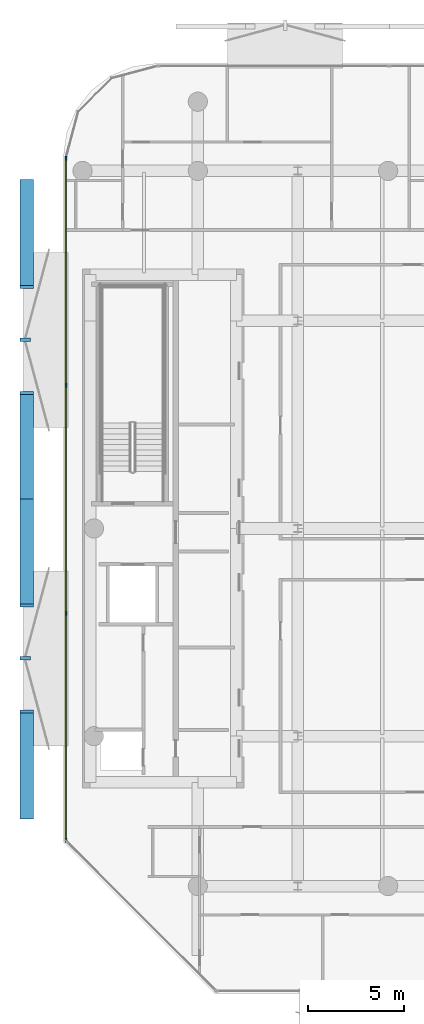
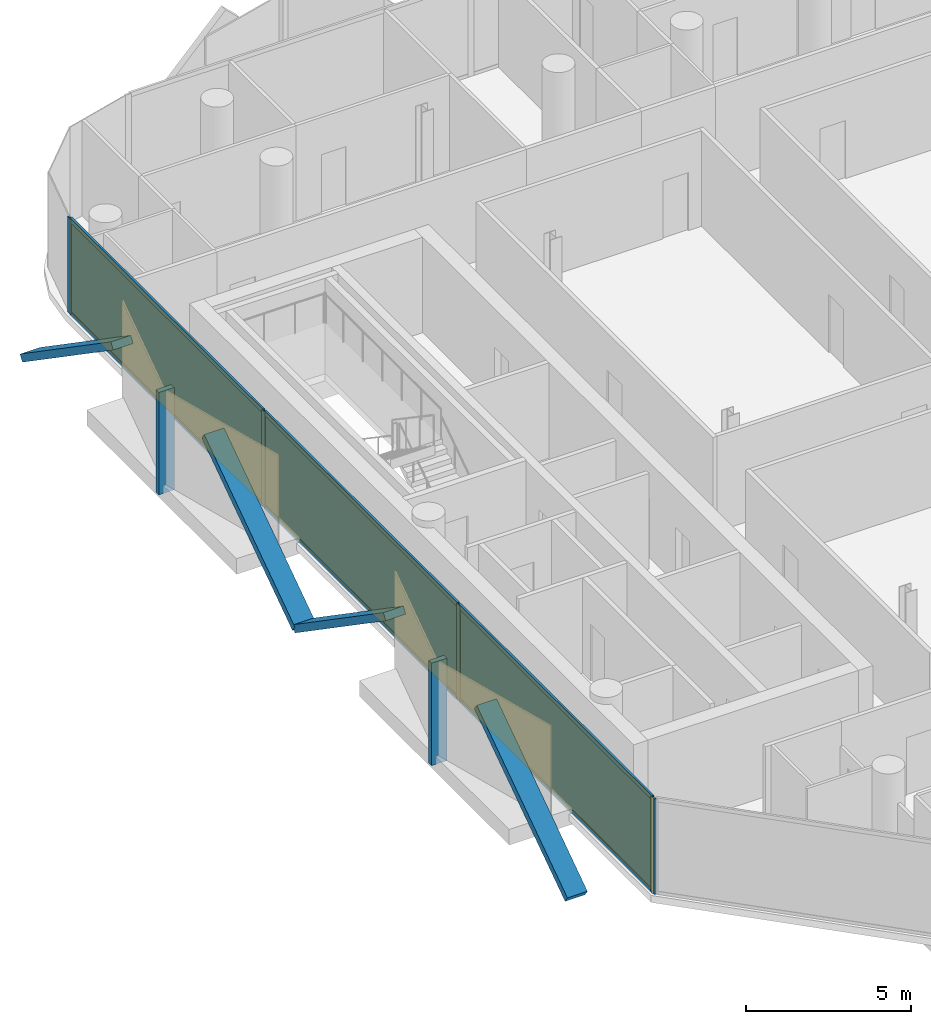
# One storey, part 10 of 16: 16 members, 3 plates, 1 curtain wall.
"""IFC4 building model written with IfcOpenShell, lengths in metres."""

from ifc_helpers import new_model, si_unit, direction, frame, frame_2d, origin, origin_2d, place, context, subcontext, project, spatial, rectangle, extrude, material, layer, layer_set, material_profile, profile_set, type_object, element, aggregate, save


model = new_model("IFC4")

# Units and contexts
model_context = context("Model", 3, precision=1e-05, world=origin(), true_north=direction((0.0, 1.0)))
body_context = subcontext(model_context, "Body", "Model", "MODEL_VIEW")
ifc_project = project(units=[si_unit("LENGTHUNIT", "METRE"), si_unit("AREAUNIT", "SQUARE_METRE"), si_unit("VOLUMEUNIT", "CUBIC_METRE"), si_unit("PLANEANGLEUNIT", "RADIAN"), si_unit("MASSUNIT", "GRAM", prefix="KILO")], contexts=[model_context])

# Member
ifc_material_1 = material(Name="Anodised Bronze Aluminium 6063-T6", Category="aluminium")
ifc_material_profile_1 = material_profile(ifc_material_1, rectangle(XDim=0.260009765625, YDim=0.699951171875, at=origin_2d()))
ifc_profile_set_1 = profile_set([ifc_material_profile_1], Name="Anodised Bronze Aluminium 6063-T6")
member_type_1 = type_object("IfcMemberType", Name="Bronze Diamond Solar-Screen Lattice Rib BDL-700", PredefinedType="MULLION", material=ifc_profile_set_1)
site_placement = place(None, origin())
building_placement = place(site_placement, origin())
storey_placement = place(building_placement, frame((0.0, 0.0, 300.39990234375)))
member_1_placement = place(storey_placement, frame((-23.300048828125, -15.0419921875, -0.1298828125), z_axis=(0.0, 0.823784665802, 0.566902835052), x_axis=(0.0, -0.566902835052, 0.823784665802)))
member_1 = element("IfcMember", 1, at=member_1_placement, type_object=member_type_1, Name="L72 Bronze Diamond Solar Screen Lattice Rib 504A", PredefinedType="MULLION", context=body_context, shape_type="SweptSolid", body=[
    extrude(rectangle(XDim=0.260009765625, YDim=0.699951171875, at=origin_2d()), origin(), (0.0, 0.0, 1.0), 6.703125),
])

member_2_placement = place(storey_placement, frame((-23.300048828125, 1.5244140625, -0.1298828125), z_axis=(0.0, -0.823796370419, 0.566885826322), x_axis=(0.0, 0.566885826322, 0.823796370419)))
member_2 = element("IfcMember", 2, at=member_2_placement, type_object=member_type_1, Name="L72 Bronze Diamond Solar Screen Lattice Rib 504B", PredefinedType="MULLION", context=body_context, shape_type="SweptSolid", body=[
    extrude(rectangle(XDim=0.260009765625, YDim=0.699951171875, at=origin_2d()), origin(), (0.0, 0.0, 1.0), 6.703369140625),
])

member_3_placement = place(storey_placement, frame((-23.300048828125, 1.5244140625, -0.1298828125), z_axis=(0.0, 0.823784665802, 0.566902835052), x_axis=(0.0, -0.566902835052, 0.823784665802)))
member_3 = element("IfcMember", 3, at=member_3_placement, type_object=member_type_1, Name="L72 Bronze Diamond Solar Screen Lattice Rib 505A", PredefinedType="MULLION", context=body_context, shape_type="SweptSolid", body=[
    extrude(rectangle(XDim=0.260009765625, YDim=0.699951171875, at=origin_2d()), origin(), (0.0, 0.0, 1.0), 6.703125),
])

member_4_placement = place(storey_placement, frame((-23.300048828125, 18.0908203125, -0.1298828125), z_axis=(0.0, -0.823796370419, 0.566885826322), x_axis=(0.0, 0.566885826322, 0.823796370419)))
member_4 = element("IfcMember", 4, at=member_4_placement, type_object=member_type_1, Name="L72 Bronze Diamond Solar Screen Lattice Rib 505B", PredefinedType="MULLION", context=body_context, shape_type="SweptSolid", body=[
    extrude(rectangle(XDim=0.260009765625, YDim=0.699951171875, at=origin_2d()), origin(), (0.0, 0.0, 1.0), 6.703369140625),
])

ifc_material_2 = material(Name="Anodised Bronze Aluminium 6063-T6", Category="aluminium")
ifc_material_profile_2 = material_profile(ifc_material_2, rectangle(XDim=0.179931640625, YDim=0.5400390625, at=origin_2d()))
ifc_profile_set_2 = profile_set([ifc_material_profile_2], Name="Anodised Bronze Aluminium 6063-T6")
member_type_2 = type_object("IfcMemberType", Name="Bronze Solar-Screen Vertical Fold Fin BSF-540", PredefinedType="MULLION", material=ifc_profile_set_2)
member_5_placement = place(storey_placement, frame((-23.3798828125, -6.7587890625, -0.1298828125), z_axis=(0.0, 0.0, 1.0), x_axis=(0.0, 1.0, 0.0)))
member_5 = element("IfcMember", 5, at=member_5_placement, type_object=member_type_2, Name="L72 Bronze Solar Screen Vertical Fin 504", PredefinedType="MULLION", context=body_context, shape_type="SweptSolid", body=[
    extrude(rectangle(XDim=0.179931640625, YDim=0.5400390625, at=origin_2d()), origin(), (0.0, 0.0, 1.0), 3.800048828125),
])

member_6_placement = place(storey_placement, frame((-23.3798828125, 9.8076171875, -0.1298828125), z_axis=(0.0, 0.0, 1.0), x_axis=(0.0, 1.0, 0.0)))
member_6 = element("IfcMember", 6, at=member_6_placement, type_object=member_type_2, Name="L72 Bronze Solar Screen Vertical Fin 505", PredefinedType="MULLION", context=body_context, shape_type="SweptSolid", body=[
    extrude(rectangle(XDim=0.179931640625, YDim=0.5400390625, at=origin_2d()), origin(), (0.0, 0.0, 1.0), 3.800048828125),
])

ifc_material_3 = material(Name="Anodised Bronze Aluminium 6063-T6", Category="aluminium")
ifc_material_profile_3 = material_profile(ifc_material_3, rectangle(XDim=0.074951171875, YDim=0.2099609375, at=origin_2d()))
ifc_profile_set_3 = profile_set([ifc_material_profile_3], Name="Anodised Bronze Aluminium 6063-T6")
member_type_3 = type_object("IfcMemberType", Name="CW-CRN Mullion 75x210", PredefinedType="MULLION", material=ifc_profile_set_3)
member_7_placement = place(storey_placement, frame((-21.260009765625, -16.20458984375, 0.0), z_axis=(0.0, 0.0, 1.0), x_axis=(-1.0, 0.0, 0.0)))
member_7 = element("IfcMember", 7, at=member_7_placement, type_object=member_type_3, Name="CW-CRN mullion 1", PredefinedType="MULLION", context=body_context, shape_type="SweptSolid", body=[
    extrude(rectangle(XDim=0.074951171875, YDim=0.2099609375, at=origin_2d()), origin(), (0.0, 0.0, 1.0), 3.5400390625),
])

member_8_placement = place(storey_placement, frame((-21.260009765625, -4.397705078125, 0.0), z_axis=(0.0, 0.0, 1.0), x_axis=(-1.0, 0.0, 0.0)))
member_8 = element("IfcMember", 8, at=member_8_placement, type_object=member_type_3, Name="CW-CRN mullion 2", PredefinedType="MULLION", context=body_context, shape_type="SweptSolid", body=[
    extrude(rectangle(XDim=0.074951171875, YDim=0.2099609375, at=origin_2d()), origin(), (0.0, 0.0, 1.0), 3.5400390625),
])

member_9_placement = place(storey_placement, frame((-21.260009765625, 7.446533203125, 0.0), z_axis=(0.0, 0.0, 1.0), x_axis=(-1.0, 0.0, 0.0)))
member_9 = element("IfcMember", 9, at=member_9_placement, type_object=member_type_3, Name="CW-CRN mullion 3", PredefinedType="MULLION", context=body_context, shape_type="SweptSolid", body=[
    extrude(rectangle(XDim=0.074951171875, YDim=0.2099609375, at=origin_2d()), origin(), (0.0, 0.0, 1.0), 3.5400390625),
])

member_10_placement = place(storey_placement, frame((-21.260009765625, 19.25341796875, 0.0), z_axis=(0.0, 0.0, 1.0), x_axis=(-1.0, 0.0, 0.0)))
member_10 = element("IfcMember", 10, at=member_10_placement, type_object=member_type_3, Name="CW-CRN mullion 4", PredefinedType="MULLION", context=body_context, shape_type="SweptSolid", body=[
    extrude(rectangle(XDim=0.074951171875, YDim=0.2099609375, at=origin_2d()), origin(), (0.0, 0.0, 1.0), 3.5400390625),
])

ifc_material_4 = material(Name="Anodised Bronze Aluminium 6063-T6", Category="aluminium")
ifc_material_profile_4 = material_profile(ifc_material_4, rectangle(XDim=0.074951171875, YDim=0.1650390625, at=origin_2d()))
ifc_profile_set_4 = profile_set([ifc_material_profile_4], Name="Anodised Bronze Aluminium 6063-T6")
member_type_4 = type_object("IfcMemberType", Name="CW-CRN Transom 75x165", PredefinedType="USERDEFINED", material=ifc_profile_set_4)
member_11_placement = place(storey_placement, frame((-21.260009765625, -16.1669921875, 0.03759765625), z_axis=(0.0, 1.0, 0.0), x_axis=(-1.0, 0.0, 0.0)))
member_11 = element("IfcMember", 11, at=member_11_placement, type_object=member_type_4, Name="CW-CRN transom 1.1", ObjectType="TRANSOM", PredefinedType="USERDEFINED", context=body_context, shape_type="SweptSolid", body=[
    extrude(rectangle(XDim=0.074951171875, YDim=0.1650390625, at=origin_2d()), origin(), (0.0, 0.0, 1.0), 11.731689453125),
])

member_12_placement = place(storey_placement, frame((-21.260009765625, -16.1669921875, 3.502685546875), z_axis=(0.0, 1.0, 0.0), x_axis=(-1.0, 0.0, 0.0)))
member_12 = element("IfcMember", 12, at=member_12_placement, type_object=member_type_4, Name="CW-CRN transom 1.2", ObjectType="TRANSOM", PredefinedType="USERDEFINED", context=body_context, shape_type="SweptSolid", body=[
    extrude(rectangle(XDim=0.074951171875, YDim=0.1650390625, at=origin_2d()), origin(), (0.0, 0.0, 1.0), 11.731689453125),
])

member_13_placement = place(storey_placement, frame((-21.260009765625, -4.3603515625, 0.03759765625), z_axis=(0.0, 1.0, 0.0), x_axis=(-1.0, 0.0, 0.0)))
member_13 = element("IfcMember", 13, at=member_13_placement, type_object=member_type_4, Name="CW-CRN transom 2.1", ObjectType="TRANSOM", PredefinedType="USERDEFINED", context=body_context, shape_type="SweptSolid", body=[
    extrude(rectangle(XDim=0.074951171875, YDim=0.1650390625, at=origin_2d()), origin(), (0.0, 0.0, 1.0), 11.769287109375),
])

member_14_placement = place(storey_placement, frame((-21.260009765625, -4.3603515625, 3.502685546875), z_axis=(0.0, 1.0, 0.0), x_axis=(-1.0, 0.0, 0.0)))
member_14 = element("IfcMember", 14, at=member_14_placement, type_object=member_type_4, Name="CW-CRN transom 2.2", ObjectType="TRANSOM", PredefinedType="USERDEFINED", context=body_context, shape_type="SweptSolid", body=[
    extrude(rectangle(XDim=0.074951171875, YDim=0.1650390625, at=origin_2d()), origin(), (0.0, 0.0, 1.0), 11.769287109375),
])

member_15_placement = place(storey_placement, frame((-21.260009765625, 7.484130859375, 0.03759765625), z_axis=(0.0, 1.0, 0.0), x_axis=(-1.0, 0.0, 0.0)))
member_15 = element("IfcMember", 15, at=member_15_placement, type_object=member_type_4, Name="CW-CRN transom 3.1", ObjectType="TRANSOM", PredefinedType="USERDEFINED", context=body_context, shape_type="SweptSolid", body=[
    extrude(rectangle(XDim=0.074951171875, YDim=0.1650390625, at=origin_2d()), origin(), (0.0, 0.0, 1.0), 11.731689453125),
])

member_16_placement = place(storey_placement, frame((-21.260009765625, 7.484130859375, 3.502685546875), z_axis=(0.0, 1.0, 0.0), x_axis=(-1.0, 0.0, 0.0)))
member_16 = element("IfcMember", 16, at=member_16_placement, type_object=member_type_4, Name="CW-CRN transom 3.2", ObjectType="TRANSOM", PredefinedType="USERDEFINED", context=body_context, shape_type="SweptSolid", body=[
    extrude(rectangle(XDim=0.074951171875, YDim=0.1650390625, at=origin_2d()), origin(), (0.0, 0.0, 1.0), 11.731689453125),
])

# Plate
ifc_material_5 = material(Name="Low-E Solar Control Laminated Glass", Category="glass")
ifc_layer_1 = layer(ifc_material_5, 0.035888671875, Name="Low-E Solar Control Laminated Glass")
ifc_layer_set_1 = layer_set([ifc_layer_1], Name="Low-E Solar Control Laminated Glass")
plate_type = type_object("IfcPlateType", Name="CW-CRN Low-E Double Glazed Panel 36mm", PredefinedType="CURTAIN_PANEL", material=ifc_layer_set_1)
plate_1_placement = place(storey_placement, frame((-21.260009765625, -10.301025390625, 0.0751953125), z_axis=(0.0, 0.0, 1.0), x_axis=(0.0, 1.0, 0.0)))
plate_1 = element("IfcPlate", 17, at=plate_1_placement, type_object=plate_type, Name="CW-CRN panel 1.1", PredefinedType="CURTAIN_PANEL", context=body_context, shape_type="SweptSolid", body=[
    extrude(rectangle(XDim=11.731689453125, YDim=0.035888671875, at=origin_2d()), origin(), (0.0, 0.0, 1.0), 3.389892578125),
])

plate_2_placement = place(storey_placement, frame((-21.260009765625, 1.5244140625, 0.0751953125), z_axis=(0.0, 0.0, 1.0), x_axis=(0.0, 1.0, 0.0)))
plate_2 = element("IfcPlate", 18, at=plate_2_placement, type_object=plate_type, Name="CW-CRN panel 2.1", PredefinedType="CURTAIN_PANEL", context=body_context, shape_type="SweptSolid", body=[
    extrude(rectangle(XDim=11.769287109375, YDim=0.035888671875, at=origin_2d()), origin(), (0.0, 0.0, 1.0), 3.389892578125),
])

plate_3_placement = place(storey_placement, frame((-21.260009765625, 13.349853515625, 0.0751953125), z_axis=(0.0, 0.0, 1.0), x_axis=(0.0, 1.0, 0.0)))
plate_3 = element("IfcPlate", 19, at=plate_3_placement, type_object=plate_type, Name="CW-CRN panel 3.1", PredefinedType="CURTAIN_PANEL", context=body_context, shape_type="SweptSolid", body=[
    extrude(rectangle(XDim=11.731689453125, YDim=0.035888671875, at=origin_2d()), origin(), (0.0, 0.0, 1.0), 3.389892578125),
])

# Site, building, storey
site = spatial("IfcSite", under=ifc_project, at=site_placement, CompositionType="ELEMENT")
building = spatial("IfcBuilding", under=site, at=building_placement, Name="Khairoan Windgate Tower", CompositionType="ELEMENT")
storey = spatial("IfcBuildingStorey", under=building, at=storey_placement, Name="L72", CompositionType="ELEMENT", Elevation=300.39990234375)

# Curtain wall
ifc_material_6 = material(Name="Anodised Bronze Aluminium 6063-T6", Category="aluminium")
ifc_layer_2 = layer(ifc_material_6, 0.2099609375, Name="Anodised Bronze Aluminium 6063-T6")
ifc_layer_set_2 = layer_set([ifc_layer_2], Name="Anodised Bronze Aluminium 6063-T6")
curtain_wall_type = type_object("IfcCurtainWallType", Name="Crown Observation and Vitrine Curtain Wall CW-CRN", PredefinedType="NOTDEFINED", material=ifc_layer_set_2)
curtain_wall_placement = place(storey_placement, frame((-21.260009765625, -16.241943359375, 0.0), z_axis=(0.0, 0.0, 1.0), x_axis=(0.0, 1.0, 0.0)))
curtain_wall = element("IfcCurtainWall", 20, at=curtain_wall_placement, inside=storey, type_object=curtain_wall_type, Name="L72 Unitised Curtain Wall 3", PredefinedType="NOTDEFINED", context=body_context, shape_type="SweptSolid", body=[
    extrude(rectangle(XDim=35.53271484375, YDim=0.010009765625, at=frame_2d((17.766357421875, 0.0))), origin(), (0.0, 0.0, 1.0), 3.5400390625),
])

aggregate(curtain_wall, [member_7, member_8, member_9, member_10, member_11, member_12, plate_1, member_13, member_14, plate_2, member_15, member_16, plate_3, member_1, member_2, member_5, member_3, member_4, member_6])

save(model, "model.ifc")
